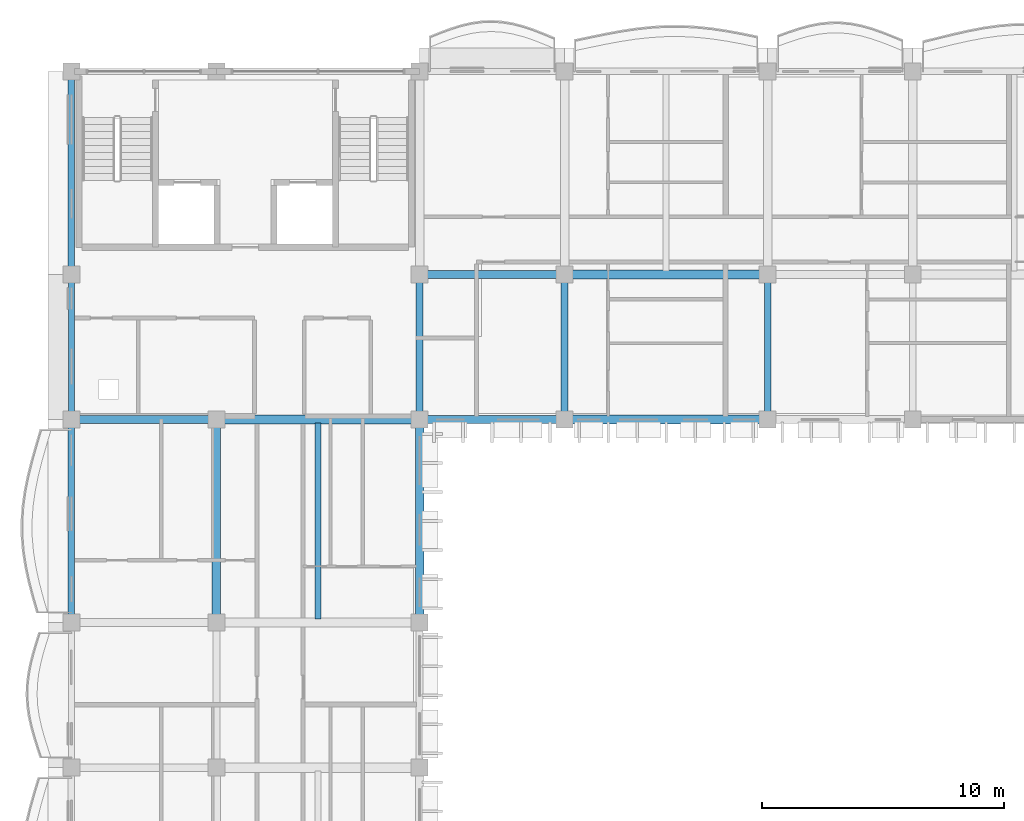
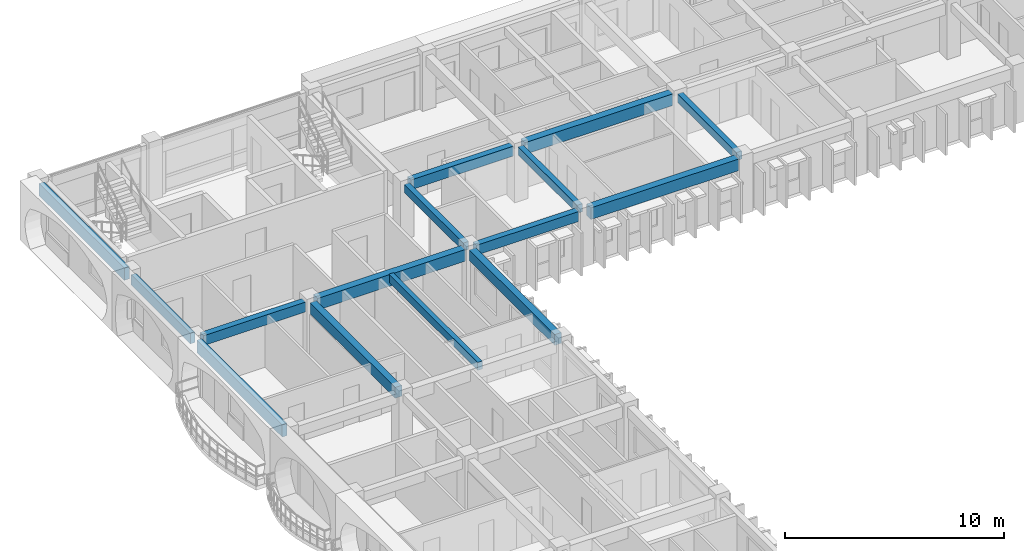
# One storey, part 21 of 101: 15 beams.
"""IFC4 building model written with IfcOpenShell, lengths in metres."""

import ifcopenshell
import ifcopenshell.guid

model = None  # the IFC model being written
_history = None  # IfcOwnerHistory: only IFC2X3 demands one
_inside = {}  # id of a spatial element -> (the spatial element, [elements in it])
_under = {}  # id of a project, library or spatial element -> (it, [spatial elements below it])
_declared = {}  # id of a project -> (the project, [libraries it declares])
_typed = {}  # id of a type object -> (the type object, [elements of that type])
_made_of = {}  # id of a material, layer set ... -> (it, [elements and type objects made of it])


def new_model(schema):
    """Start an empty IFC model of exactly this schema.

    Asked for "IFC4X3", IfcOpenShell would pick the latest addendum, in which some entities
    have other attributes; the version numbers below select the first issue.
    IFC2X3 requires an IfcOwnerHistory on every rooted entity: one is made here for all.
    """
    global model, _history
    if schema == "IFC4X3":
        model = ifcopenshell.file(schema_version=(4, 3, 0, 0))
    else:
        model = ifcopenshell.file(schema=schema)
    _inside.clear()
    _under.clear()
    _declared.clear()
    _typed.clear()
    _made_of.clear()
    _history = None
    if model.schema == "IFC2X3":
        org = make("IfcOrganization", Name="unknown")
        user = make(
            "IfcPersonAndOrganization",
            ThePerson=make("IfcPerson", FamilyName="unknown"),
            TheOrganization=org,
        )
        app = make(
            "IfcApplication",
            ApplicationDeveloper=org,
            Version="unknown",
            ApplicationFullName="unknown",
            ApplicationIdentifier="unknown",
        )
        _history = make(
            "IfcOwnerHistory",
            OwningUser=user,
            OwningApplication=app,
            ChangeAction="ADDED",
            CreationDate=0,
        )
    return model


def make(cls, **values):
    """One entity of the class cls with the attributes given. An attribute that is None is left unset."""
    return model.create_entity(
        cls, **{name: value for name, value in values.items() if value is not None}
    )


def rooted(cls, **values):
    """An entity with a GlobalId (a new one), such as an element, a storey or a relation."""
    return make(cls, GlobalId=ifcopenshell.guid.new(), OwnerHistory=_history, **values)


def si_unit(unit_type, name, prefix=None):
    """IfcSIUnit, for example si_unit("LENGTHUNIT", "METRE", prefix="MILLI")."""
    return make("IfcSIUnit", UnitType=unit_type, Prefix=prefix, Name=name)


def assignment(units):
    """IfcUnitAssignment: the units of a project."""
    return None if units is None else make("IfcUnitAssignment", Units=units)


def point(xyz):
    """IfcCartesianPoint."""
    return None if xyz is None else make("IfcCartesianPoint", Coordinates=xyz)


def direction(xyz):
    """IfcDirection."""
    return None if xyz is None else make("IfcDirection", DirectionRatios=xyz)


def frame(location, z_axis=None, x_axis=None):
    """IfcAxis2Placement3D, a coordinate frame: its origin and axes. An axis left out is left unset."""
    return make(
        "IfcAxis2Placement3D",
        Location=point(location),
        Axis=direction(z_axis),
        RefDirection=direction(x_axis),
    )


def frame_2d(location, x_axis=None):
    """IfcAxis2Placement2D, a coordinate frame in the plane: its origin and x axis."""
    return make(
        "IfcAxis2Placement2D", Location=point(location), RefDirection=direction(x_axis)
    )


def origin():
    """The frame at (0, 0, 0) with its axes left unset."""
    return frame((0.0, 0.0, 0.0))


def origin_2d():
    """The frame at (0, 0) in the plane with its x axis left unset."""
    return frame_2d((0.0, 0.0))


def place(relative_to, where):
    """IfcLocalPlacement: puts the frame where relative to a parent placement (None: the world)."""
    return make(
        "IfcLocalPlacement", PlacementRelTo=relative_to, RelativePlacement=where
    )


def context(
    kind, dimensions, precision=None, world=None, true_north=None, identifier=None
):
    """IfcGeometricRepresentationContext, for example the 3D "Model" context."""
    return make(
        "IfcGeometricRepresentationContext",
        ContextIdentifier=identifier,
        ContextType=kind,
        CoordinateSpaceDimension=dimensions,
        Precision=precision,
        WorldCoordinateSystem=world,
        TrueNorth=true_north,
    )


def subcontext(parent, identifier, kind, view, scale=None):
    """IfcGeometricRepresentationSubContext, for example "Body" below "Model"."""
    return make(
        "IfcGeometricRepresentationSubContext",
        ContextIdentifier=identifier,
        ContextType=kind,
        ParentContext=parent,
        TargetScale=scale,
        TargetView=view,
    )


def project(units=None, contexts=None):
    """IfcProject with its units and contexts."""
    return rooted(
        "IfcProject",
        Name="project",
        RepresentationContexts=contexts,
        UnitsInContext=assignment(units),
    )


def spatial(cls, under=None, at=None, **own):
    """A site, building, storey or space (cls), placed at a placement, below another one or the project."""
    s = rooted(cls, ObjectPlacement=at, **own)
    if under is not None:
        _under.setdefault(under.id(), (under, []))[1].append(s)
    return s


def profile(cls, at=None, kind="AREA", **sizes):
    """A parametric profile (cls). Its sizes go by their IFC names, for example OverallWidth=200.0."""
    return make(cls, ProfileType=kind, Position=at, **sizes)


def rectangle(**sizes):
    """IfcRectangleProfileDef."""
    return profile("IfcRectangleProfileDef", **sizes)


def extrude(swept, where, along, depth):
    """IfcExtrudedAreaSolid: the profile swept, set in the frame where, extruded along a direction by depth."""
    return make(
        "IfcExtrudedAreaSolid",
        SweptArea=swept,
        Position=where,
        ExtrudedDirection=direction(along),
        Depth=depth,
    )


def shape(context_of_items, identifier, shape_type, items):
    """IfcShapeRepresentation: the items that make up one representation, for example the "Body"."""
    return make(
        "IfcShapeRepresentation",
        ContextOfItems=context_of_items,
        RepresentationIdentifier=identifier,
        RepresentationType=shape_type,
        Items=items,
    )


def material(Name=None, Category=None):
    """IfcMaterial."""
    return make("IfcMaterial", Name=Name, Category=Category)


def material_profile(
    of_material, cross_section, Name=None, Category=None, Priority=None
):
    """IfcMaterialProfile: a cross section and its material."""
    return make(
        "IfcMaterialProfile",
        Name=Name,
        Material=of_material,
        Profile=cross_section,
        Priority=Priority,
        Category=Category,
    )


def profile_set(profiles, Name=None, composite=None):
    """IfcMaterialProfileSet."""
    return make(
        "IfcMaterialProfileSet",
        Name=Name,
        MaterialProfiles=profiles,
        CompositeProfile=composite,
    )


def made_of(thing, what):
    """Note that an element or type object is made of a material, layer set ...; save() writes the relation."""
    if what is not None:
        _made_of.setdefault(what.id(), (what, []))[1].append(thing)
    return thing


def type_object(cls, material=None, **own):
    """A type object (cls), such as IfcWallType, which elements share."""
    return made_of(rooted(cls, **own), material)


def element(
    cls,
    number,
    at=None,
    inside=None,
    cuts=None,
    type_object=None,
    material=None,
    context=None,
    identifier="Body",
    shape_type=None,
    held_by="IfcProductDefinitionShape",
    body=None,
    shapes=None,
    **own,
):
    """One element of the class cls, such as IfcWall. Its Tag is "e" and its number.

    at: its placement. inside: the storey or other place that contains it. cuts: it is an
    opening in that element (IfcRelVoidsElement). A single representation is given by context,
    identifier, shape_type and body (its items); several are given by shapes. held_by: the class
    of the entity that holds the representations. save() writes the other relations.
    """
    e = rooted(cls, Tag="e%d" % number, ObjectPlacement=at, **own)
    if body is not None:
        shapes = [shape(context, identifier, shape_type, body)]
    if shapes is not None:
        e.Representation = make(held_by, Representations=shapes)
    if inside is not None:
        _inside.setdefault(inside.id(), (inside, []))[1].append(e)
    if cuts is not None:
        rooted(
            "IfcRelVoidsElement", RelatingBuildingElement=cuts, RelatedOpeningElement=e
        )
    if type_object is not None:
        _typed.setdefault(type_object.id(), (type_object, []))[1].append(e)
    return made_of(e, material)


def aggregate(whole, parts):
    """IfcRelAggregates: a whole, such as a stair, and the parts it consists of."""
    return rooted("IfcRelAggregates", RelatingObject=whole, RelatedObjects=parts)


def save(model, path):
    """Write the relations noted so far, then the file.

    IfcRelAggregates (storeys below a building ...), IfcRelContainedInSpatialStructure (elements
    in a storey), IfcRelDefinesByType, IfcRelAssociatesMaterial and IfcRelDeclares: one each for
    every whole, place, type object, material and project.
    """
    for whole, parts in _under.values():
        aggregate(whole, parts)
    for where, things in _inside.values():
        rooted(
            "IfcRelContainedInSpatialStructure",
            RelatedElements=things,
            RelatingStructure=where,
        )
    for kind, things in _typed.values():
        rooted("IfcRelDefinesByType", RelatedObjects=things, RelatingType=kind)
    for what, things in _made_of.values():
        rooted("IfcRelAssociatesMaterial", RelatedObjects=things, RelatingMaterial=what)
    for by, libraries in _declared.values():
        rooted("IfcRelDeclares", RelatingContext=by, RelatedDefinitions=libraries)
    model.write(path)


model = new_model("IFC4")

# Units and contexts
model_context = context("Model", 3, precision=1e-05, world=origin(), true_north=direction((0.0, 1.0)))
body_context = subcontext(model_context, "Body", "Model", "MODEL_VIEW")
ifc_project = project(units=[si_unit("LENGTHUNIT", "METRE"), si_unit("AREAUNIT", "SQUARE_METRE"), si_unit("VOLUMEUNIT", "CUBIC_METRE"), si_unit("PLANEANGLEUNIT", "RADIAN"), si_unit("MASSUNIT", "GRAM", prefix="KILO"), si_unit("THERMODYNAMICTEMPERATUREUNIT", "KELVIN")], contexts=[model_context])

# Site, building, storey
site_placement = place(None, origin())
site = spatial("IfcSite", under=ifc_project, at=site_placement, CompositionType="ELEMENT")
building_placement = place(site_placement, origin())
building = spatial("IfcBuilding", under=site, at=building_placement, Name="Thalorik Housing Commons", CompositionType="ELEMENT")
storey_placement = place(building_placement, frame((0.0, 0.0, 8.10009765625)))
storey = spatial("IfcBuildingStorey", under=building, at=storey_placement, Name="L02", CompositionType="ELEMENT", Elevation=8.10009765625)

# Beams
ifc_material = material(Name="Precast concrete C40/50", Category="concrete")
ifc_material_profile_1 = material_profile(ifc_material, rectangle(XDim=0.280029296875, YDim=0.449951171875, at=origin_2d()), Name="PC 280x450", Category="concrete")
ifc_profile_set_1 = profile_set([ifc_material_profile_1], Name="Precast concrete C40/50")
beam_type_1 = type_object("IfcBeamType", Name="STR-BM-PC280x450", PredefinedType="BEAM", material=ifc_profile_set_1)
for number, where, z_axis, x_axis, name in (
    (1, (22.800048828125, 109.5, 2.81494140625), (0.0, 1.0, 0.0), (-1.0, 0.0, 0.0), "L02 Beam B-450"),
    (2, (28.800048828125, 109.5, 2.81494140625), (0.0, 1.0, 0.0), (-1.0, 0.0, 0.0), "L02 Beam B-450"),
    (3, (37.199951171875, 109.5, 2.81494140625), (0.0, 1.0, 0.0), (-1.0, 0.0, 0.0), "L02 Beam B-450"),
):
    element("IfcBeam", number, at=place(storey_placement, frame(where, z_axis=z_axis, x_axis=x_axis)), inside=storey, type_object=beam_type_1, Name=name, PredefinedType="BEAM", context=body_context, shape_type="SweptSolid", body=[
        extrude(rectangle(XDim=0.280029296875, YDim=0.449951171875, at=origin_2d()), origin(), (0.0, 0.0, 1.0), 5.39990234375),
    ])
ifc_material_profile_2 = material_profile(ifc_material, rectangle(XDim=0.320068359375, YDim=0.550048828125, at=origin_2d()), Name="PC 320x550", Category="concrete")
ifc_profile_set_2 = profile_set([ifc_material_profile_2], Name="Precast concrete C40/50")
beam_type_2 = type_object("IfcBeamType", Name="STR-BM-PC320x550", PredefinedType="BEAM", material=ifc_profile_set_2)
beam_1_placement = place(storey_placement, frame((8.699951171875, 109.199951171875, 2.764892578125), z_axis=(1.0, 0.0, 0.0), x_axis=(0.0, 1.0, 0.0)))
element("IfcBeam", 4, at=beam_1_placement, inside=storey, type_object=beam_type_2, Name="L02 Beam B-550", PredefinedType="BEAM", context=body_context, shape_type="SweptSolid", body=[
    extrude(rectangle(XDim=0.320068359375, YDim=0.550048828125, at=origin_2d()), origin(), (0.0, 0.0, 1.0), 5.400146484375),
])
for number, where, z_axis, x_axis, name in (
    (5, (23.10009765625, 109.199951171875, 2.764892578125), (1.0, 0.0, 0.0), (0.0, 1.0, 0.0), "L02 Beam B-550"),
    (6, (23.10009765625, 115.199951171875, 2.764892578125), (1.0, 0.0, 0.0), (0.0, 1.0, 0.0), "L02 Beam B-550"),
):
    element("IfcBeam", number, at=place(storey_placement, frame(where, z_axis=z_axis, x_axis=x_axis)), inside=storey, type_object=beam_type_2, Name=name, PredefinedType="BEAM", context=body_context, shape_type="SweptSolid", body=[
        extrude(rectangle(XDim=0.320068359375, YDim=0.550048828125, at=origin_2d()), origin(), (0.0, 0.0, 1.0), 5.39990234375),
    ])
ifc_material_profile_3 = material_profile(ifc_material, rectangle(XDim=0.35009765625, YDim=0.60009765625, at=origin_2d()), Name="PC 350x600", Category="concrete")
ifc_profile_set_3 = profile_set([ifc_material_profile_3], Name="Precast concrete C40/50")
beam_type_3 = type_object("IfcBeamType", Name="STR-BM-PC350x600", PredefinedType="BEAM", material=ifc_profile_set_3)
for number, where, z_axis, x_axis, name in (
    (7, (14.39990234375, 101.10009765625, 2.739990234375), (0.0, 1.0, 0.0), (-1.0, 0.0, 0.0), "L02 Beam B-600"),
    (8, (22.800048828125, 101.10009765625, 2.739990234375), (0.0, 1.0, 0.0), (-1.0, 0.0, 0.0), "L02 Beam B-600"),
):
    element("IfcBeam", number, at=place(storey_placement, frame(where, z_axis=z_axis, x_axis=x_axis)), inside=storey, type_object=beam_type_3, Name=name, PredefinedType="BEAM", context=body_context, shape_type="SweptSolid", body=[
        extrude(rectangle(XDim=0.35009765625, YDim=0.60009765625, at=origin_2d()), origin(), (0.0, 0.0, 1.0), 7.7998046875),
    ])
ifc_material_profile_4 = material_profile(ifc_material, rectangle(XDim=0.3798828125, YDim=0.64990234375, at=origin_2d()), Name="PC 380x650", Category="concrete")
ifc_profile_set_4 = profile_set([ifc_material_profile_4], Name="Precast concrete C40/50")
beam_type_4 = type_object("IfcBeamType", Name="STR-BM-PC380x650", PredefinedType="BEAM", material=ifc_profile_set_4)
beam_2_placement = place(storey_placement, frame((14.699951171875, 109.199951171875, 2.71484375), z_axis=(1.0, 0.0, 0.0), x_axis=(0.0, 1.0, 0.0)))
element("IfcBeam", 9, at=beam_2_placement, inside=storey, type_object=beam_type_4, Name="L02 Beam B-650", PredefinedType="BEAM", context=body_context, shape_type="SweptSolid", body=[
    extrude(rectangle(XDim=0.3798828125, YDim=0.64990234375, at=origin_2d()), origin(), (0.0, 0.0, 1.0), 7.800048828125),
])
for number, where, z_axis, x_axis, name in (
    (10, (29.10009765625, 109.199951171875, 2.71484375), (1.0, 0.0, 0.0), (0.0, 1.0, 0.0), "L02 Beam B-650"),
    (11, (29.10009765625, 115.199951171875, 2.71484375), (1.0, 0.0, 0.0), (0.0, 1.0, 0.0), "L02 Beam B-650"),
):
    element("IfcBeam", number, at=place(storey_placement, frame(where, z_axis=z_axis, x_axis=x_axis)), inside=storey, type_object=beam_type_4, Name=name, PredefinedType="BEAM", context=body_context, shape_type="SweptSolid", body=[
        extrude(rectangle(XDim=0.3798828125, YDim=0.64990234375, at=origin_2d()), origin(), (0.0, 0.0, 1.0), 7.7998046875),
    ])
ifc_material_profile_5 = material_profile(ifc_material, rectangle(XDim=0.239990234375, YDim=0.43994140625, at=origin_2d()), Name="PC JST 240x440", Category="concrete")
ifc_profile_set_5 = profile_set([ifc_material_profile_5], Name="Precast concrete C40/50")
beam_type_5 = type_object("IfcBeamType", Name="STR-JST-PC240x440", PredefinedType="JOIST", material=ifc_profile_set_5)
beam_3_placement = place(storey_placement, frame((18.60009765625, 100.93994140625, 2.81982421875), z_axis=(0.0, 1.0, 0.0), x_axis=(-1.0, 0.0, 0.0)))
element("IfcBeam", 12, at=beam_3_placement, inside=storey, type_object=beam_type_5, Name="L02 Beam J-440", PredefinedType="JOIST", context=body_context, shape_type="SweptSolid", body=[
    extrude(rectangle(XDim=0.239990234375, YDim=0.43994140625, at=origin_2d()), origin(), (0.0, 0.0, 1.0), 8.1201171875),
])
ifc_material_profile_6 = material_profile(ifc_material, rectangle(XDim=0.239990234375, YDim=0.580078125, at=origin_2d()), Name="PC SP 240x580", Category="concrete")
ifc_profile_set_6 = profile_set([ifc_material_profile_6], Name="Precast concrete C40/50")
beam_type_6 = type_object("IfcBeamType", Name="STR-SP-PC240x580", PredefinedType="SPANDREL", material=ifc_profile_set_6)
beam_4_placement = place(storey_placement, frame((8.39990234375, 109.5, 2.75), z_axis=(0.0, 1.0, 0.0), x_axis=(-1.0, 0.0, 0.0)))
element("IfcBeam", 13, at=beam_4_placement, inside=storey, type_object=beam_type_6, Name="L02 Beam B-450", PredefinedType="SPANDREL", context=body_context, shape_type="SweptSolid", body=[
    extrude(rectangle(XDim=0.239990234375, YDim=0.580078125, at=origin_2d()), origin(), (0.0, 0.0, 1.0), 5.39990234375),
])
ifc_material_profile_7 = material_profile(ifc_material, rectangle(XDim=0.260009765625, YDim=0.679931640625, at=origin_2d()), Name="PC SP 260x680", Category="concrete")
ifc_profile_set_7 = profile_set([ifc_material_profile_7], Name="Precast concrete C40/50")
beam_type_7 = type_object("IfcBeamType", Name="STR-SP-PC260x680", PredefinedType="SPANDREL", material=ifc_profile_set_7)
beam_5_placement = place(storey_placement, frame((8.39990234375, 101.10009765625, 2.699951171875), z_axis=(0.0, 1.0, 0.0), x_axis=(-1.0, 0.0, 0.0)))
element("IfcBeam", 14, at=beam_5_placement, inside=storey, type_object=beam_type_7, Name="L02 Beam B-600", PredefinedType="SPANDREL", context=body_context, shape_type="SweptSolid", body=[
    extrude(rectangle(XDim=0.260009765625, YDim=0.679931640625, at=origin_2d()), origin(), (0.0, 0.0, 1.0), 7.7998046875),
])
beam_6_placement = place(storey_placement, frame((8.39990234375, 115.5, 2.699951171875), z_axis=(0.0, 1.0, 0.0), x_axis=(-1.0, 0.0, 0.0)))
element("IfcBeam", 15, at=beam_6_placement, inside=storey, type_object=beam_type_7, Name="L02 Beam B-600", PredefinedType="SPANDREL", context=body_context, shape_type="SweptSolid", body=[
    extrude(rectangle(XDim=0.260009765625, YDim=0.679931640625, at=origin_2d()), origin(), (0.0, 0.0, 1.0), 7.800048828125),
])

save(model, "model.ifc")
